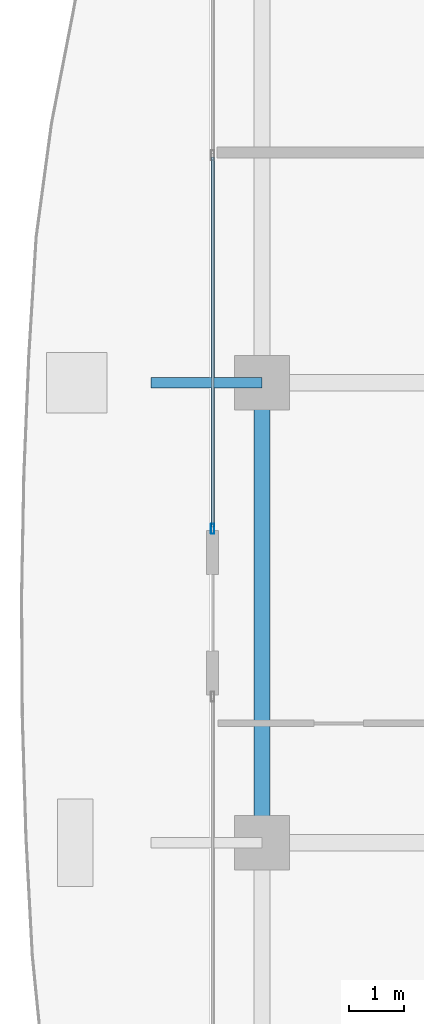
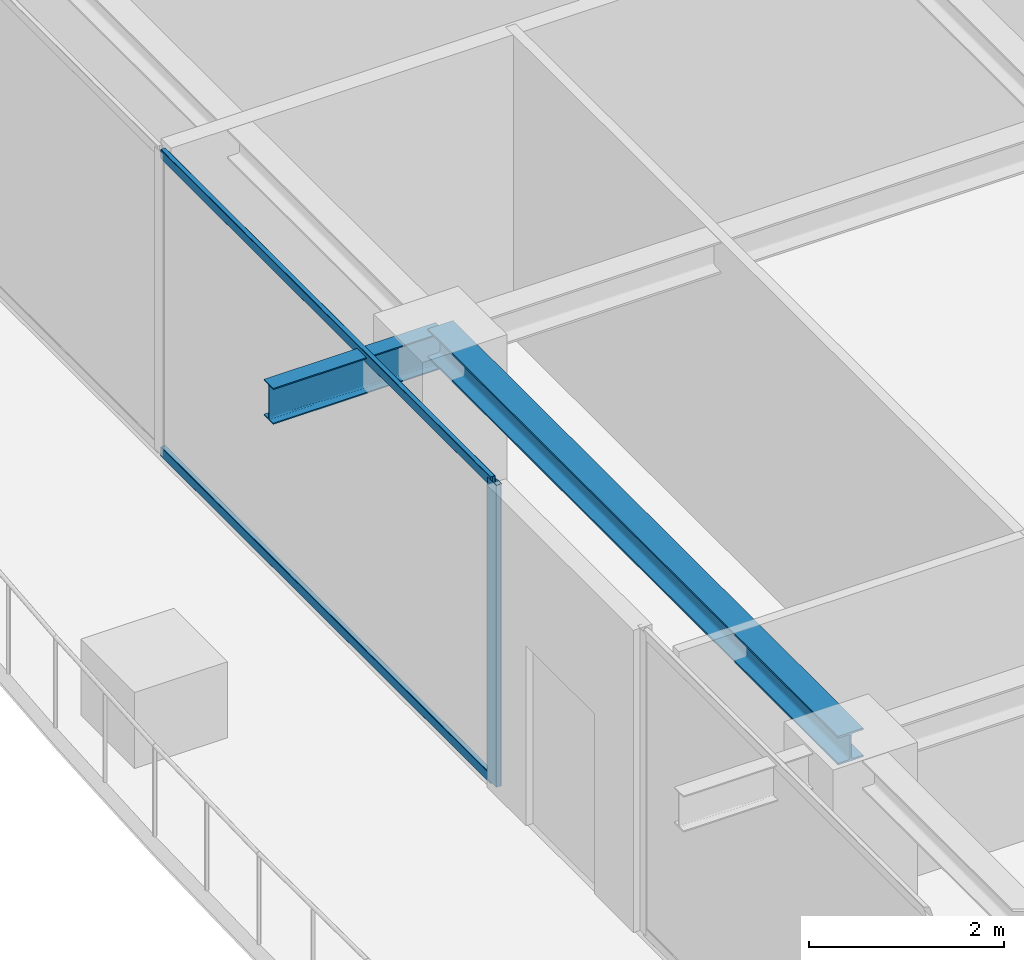
# One storey, part 9 of 38: 3 members, 2 beams, 1 element without a shape of its own.
"""IFC4 building model written with IfcOpenShell, lengths in metres."""

from ifc_helpers import new_model, si_unit, direction, frame, origin, origin_2d, place, context, subcontext, project, spatial, hollow_rectangle, i_section, extrude, source, transform, mapped, material, layer, layer_set, material_profile, profile_set, type_object, element, aggregate, save


model = new_model("IFC4")

# Units and contexts
model_context = context("Model", 3, precision=1e-05, world=origin(), true_north=direction((0.0, 1.0)))
body_context = subcontext(model_context, "Body", "Model", "MODEL_VIEW")
ifc_project = project(units=[si_unit("LENGTHUNIT", "METRE"), si_unit("AREAUNIT", "SQUARE_METRE"), si_unit("VOLUMEUNIT", "CUBIC_METRE"), si_unit("PLANEANGLEUNIT", "RADIAN"), si_unit("MASSUNIT", "GRAM", prefix="KILO")], contexts=[model_context])

# Site, building, storey
site_placement = place(None, origin())
site = spatial("IfcSite", under=ifc_project, at=site_placement, CompositionType="ELEMENT")
building_placement = place(site_placement, origin())
building = spatial("IfcBuilding", under=site, at=building_placement, Name="Serunith Strait Residences", CompositionType="ELEMENT")
storey_placement = place(building_placement, frame((0.0, 0.0, 321.800048828125)))
storey = spatial("IfcBuildingStorey", under=building, at=storey_placement, Name="L80", CompositionType="ELEMENT", Elevation=321.800048828125)

# Beams
ifc_material_1 = material(Name="Steel S355J2", Category="steel")
ifc_material_profile_1 = material_profile(ifc_material_1, i_section(OverallWidth=0.300048828125, OverallDepth=0.360107421875, WebThickness=0.012451171875, FlangeThickness=0.0224609375, FilletRadius=0.027099609375, at=origin_2d()), Name="HEB 360")
ifc_profile_set_1 = profile_set([ifc_material_profile_1], Name="Steel S355J2")
beam_type_1 = type_object("IfcBeamType", Name="BM-HEB360", PredefinedType="BEAM", material=ifc_profile_set_1)
shared_shape_1 = source(origin(), body_context, "Body", "SweptSolid", [
    extrude(i_section(OverallWidth=0.300048828125, OverallDepth=0.360107421875, WebThickness=0.012451171875, FlangeThickness=0.0224609375, FilletRadius=0.027099609375, at=origin_2d()), origin(), (0.0, 0.0, 1.0), 8.39990234375),
])
beam_1_placement = place(storey_placement, frame((10.10009765625, 29.39990234375, 3.60693359375), z_axis=(0.0, -1.0, 0.0), x_axis=(1.0, 0.0, 0.0)))
element("IfcBeam", 1, at=beam_1_placement, inside=storey, type_object=beam_type_1, Name="L80 Perimeter Ring Beam 14", PredefinedType="BEAM", context=body_context, shape_type="MappedRepresentation", body=[
    mapped(shared_shape_1, transform((0.0, 0.0, 0.0), scale=1.0)),
])
ifc_material_profile_2 = material_profile(ifc_material_1, i_section(OverallWidth=0.18994140625, OverallDepth=0.449951171875, WebThickness=0.009521484375, FlangeThickness=0.0146484375, FilletRadius=0.02099609375, at=origin_2d()), Name="IPE 450")
ifc_profile_set_2 = profile_set([ifc_material_profile_2], Name="Steel S355J2")
beam_type_2 = type_object("IfcBeamType", Name="BM-IPE450", PredefinedType="JOIST", material=ifc_profile_set_2)
shared_shape_2 = source(origin(), body_context, "Body", "SweptSolid", [
    extrude(i_section(OverallWidth=0.18994140625, OverallDepth=0.449951171875, WebThickness=0.009521484375, FlangeThickness=0.0146484375, FilletRadius=0.02099609375, at=origin_2d()), origin(), (0.0, 0.0, 1.0), 2.030029296875),
])
beam_2_placement = place(storey_placement, frame((10.10009765625, 29.39990234375, 3.531982421875), z_axis=(-1.0, 0.0, 0.0), x_axis=(0.0, -1.0, 0.0)))
element("IfcBeam", 2, at=beam_2_placement, inside=storey, type_object=beam_type_2, Name="L81 Cantilevered Balcony Rib TC-W3", PredefinedType="JOIST", context=body_context, shape_type="MappedRepresentation", body=[
    mapped(shared_shape_2, transform((0.0, 0.0, 0.0), scale=1.0)),
])

# Curtain wall, members
ifc_material_2 = material(Name="Brushed Stainless-Silver Aluminium", Category="aluminium")
ifc_layer = layer(ifc_material_2, 0.199951171875, Name="Brushed Stainless-Silver Aluminium")
ifc_layer_set = layer_set([ifc_layer], Name="Brushed Stainless-Silver Aluminium")
curtain_wall_type = type_object("IfcCurtainWallType", Name="CW-SYS5", PredefinedType="NOTDEFINED", material=ifc_layer_set)
curtain_wall_placement = place(storey_placement, origin())
curtain_wall = element("IfcCurtainWall", 3, at=curtain_wall_placement, inside=storey, type_object=curtain_wall_type, Name="L80 W Unitised Fritted Curtain Wall", PredefinedType="NOTDEFINED")
ifc_material_profile_3 = material_profile(ifc_material_2, hollow_rectangle(XDim=0.06005859375, YDim=0.1201171875, WallThickness=0.00341796875, InnerFilletRadius=0.00537109375, OuterFilletRadius=0.0087890625, at=origin_2d()), Name="ALU 120x60x3.5")
ifc_profile_set_3 = profile_set([ifc_material_profile_3], Name="Brushed Stainless-Silver Aluminium")
member_type_1 = type_object("IfcMemberType", Name="CW-SYS5-TRAN", PredefinedType="USERDEFINED", material=ifc_profile_set_3)
shared_shape_3 = source(origin(), body_context, "Body", "SweptSolid", [
    extrude(hollow_rectangle(XDim=0.06005859375, YDim=0.1201171875, WallThickness=0.00341796875, InnerFilletRadius=0.00537109375, OuterFilletRadius=0.0087890625, at=origin_2d()), origin(), (0.0, 0.0, 1.0), 6.752685546875),
])
member_1_placement = place(storey_placement, frame((9.199951171875, 33.517578125, 0.030029296875), z_axis=(0.0, -1.0, 0.0), x_axis=(1.0, 0.0, 0.0)))
member_1 = element("IfcMember", 4, at=member_1_placement, type_object=member_type_1, Name="CW-5 transom 2.1", ObjectType="TRANSOM", PredefinedType="USERDEFINED", context=body_context, shape_type="MappedRepresentation", body=[
    mapped(shared_shape_3, transform((0.0, 0.0, 0.0), scale=1.0)),
])
member_2_placement = place(storey_placement, frame((9.199951171875, 33.517578125, 3.744873046875), z_axis=(0.0, -1.0, 0.0), x_axis=(1.0, 0.0, 0.0)))
member_2 = element("IfcMember", 5, at=member_2_placement, type_object=member_type_1, Name="CW-5 transom 2.2", ObjectType="TRANSOM", PredefinedType="USERDEFINED", context=body_context, shape_type="MappedRepresentation", body=[
    mapped(shared_shape_3, transform((0.0, 0.0, 0.0), scale=1.0)),
])
ifc_material_profile_4 = material_profile(ifc_material_2, hollow_rectangle(XDim=0.06494140625, YDim=0.179931640625, WallThickness=0.00341796875, InnerFilletRadius=0.00537109375, OuterFilletRadius=0.0087890625, at=origin_2d()), Name="ALU 180x65x3.5")
ifc_profile_set_4 = profile_set([ifc_material_profile_4], Name="Brushed Stainless-Silver Aluminium")
member_type_2 = type_object("IfcMemberType", Name="CW-SYS5-MULL", PredefinedType="MULLION", material=ifc_profile_set_4)
shared_shape_4 = source(origin(), body_context, "Body", "SweptSolid", [
    extrude(hollow_rectangle(XDim=0.06494140625, YDim=0.179931640625, WallThickness=0.00341796875, InnerFilletRadius=0.00537109375, OuterFilletRadius=0.0087890625, at=origin_2d()), origin(), (0.0, 0.0, 1.0), 3.77490234375),
])
member_3_placement = place(storey_placement, frame((9.199951171875, 26.732421875, 0.0), z_axis=(0.0, 0.0, 1.0), x_axis=(1.0, 0.0, 0.0)))
member_3 = element("IfcMember", 6, at=member_3_placement, type_object=member_type_2, Name="CW-5 mullion 3", PredefinedType="MULLION", context=body_context, shape_type="MappedRepresentation", body=[
    mapped(shared_shape_4, transform((0.0, 0.0, 0.0), scale=1.0)),
])
aggregate(curtain_wall, [member_3, member_1, member_2])

save(model, "model.ifc")
